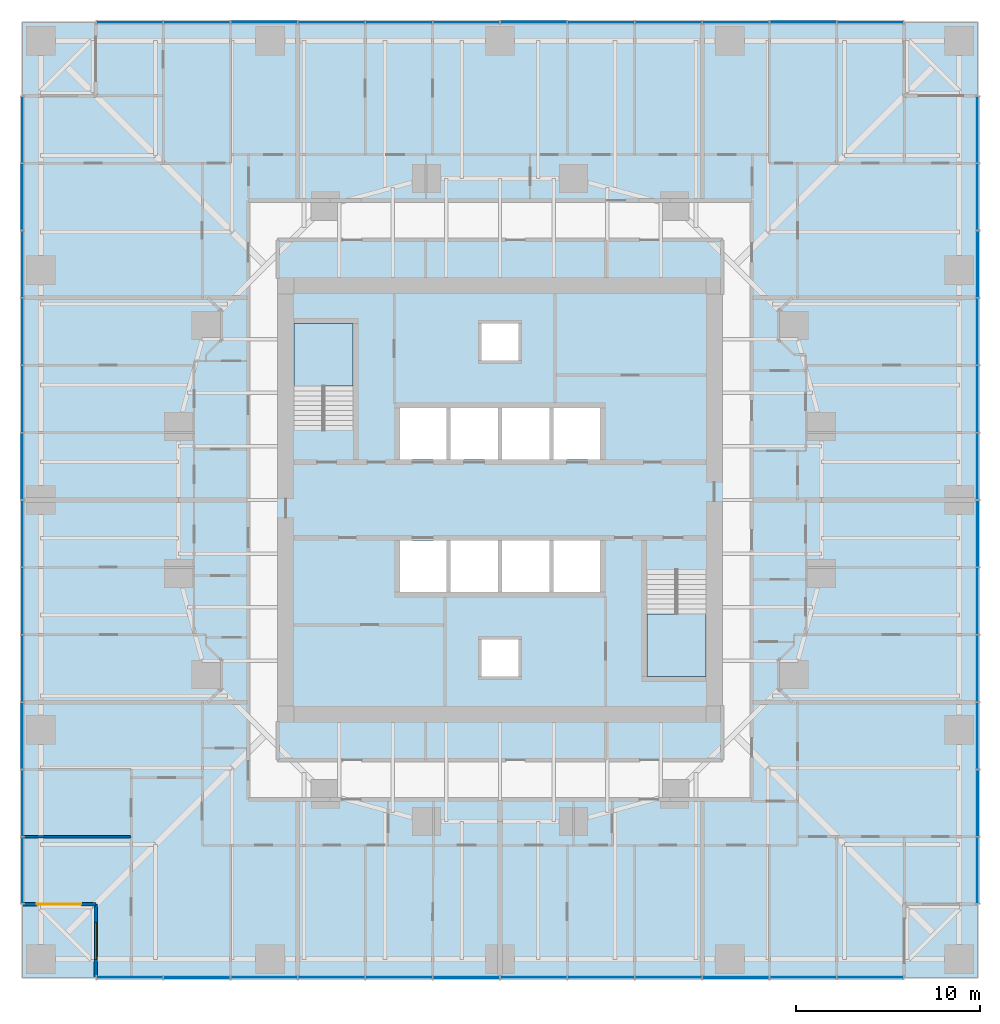
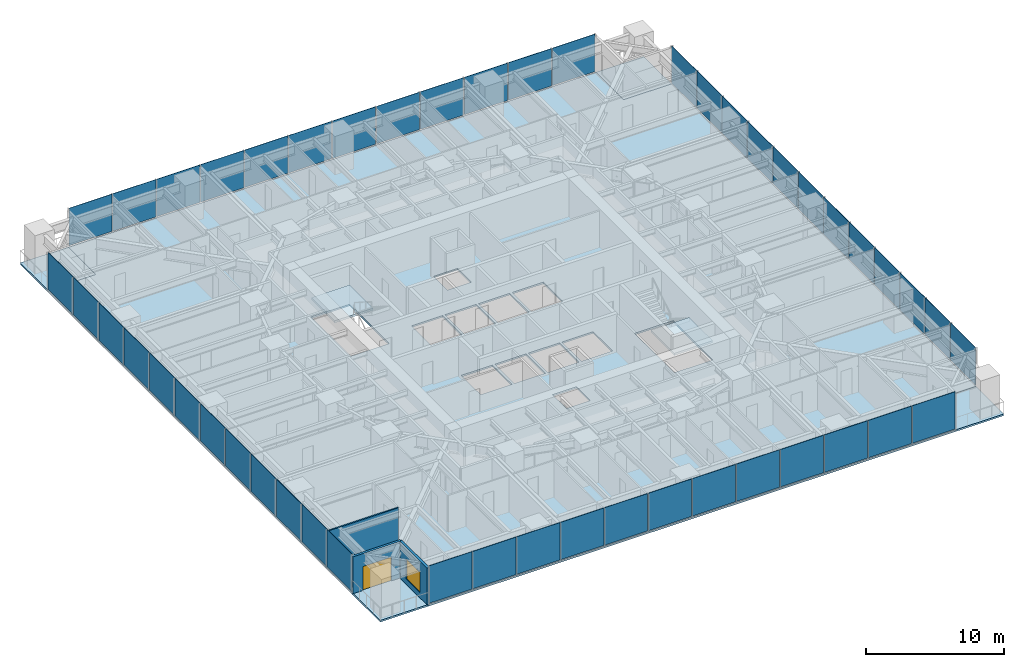
# One storey, part 7 of 18: 48 plates, 7 slabs, 3 walls, 1 door, 1 window, 2 openings, 6 elements without a shape of their own.
"""IFC4 building model written with IfcOpenShell, lengths in metres."""

import ifcopenshell
import ifcopenshell.guid

model = None  # the IFC model being written
_history = None  # IfcOwnerHistory: only IFC2X3 demands one
_inside = {}  # id of a spatial element -> (the spatial element, [elements in it])
_under = {}  # id of a project, library or spatial element -> (it, [spatial elements below it])
_declared = {}  # id of a project -> (the project, [libraries it declares])
_typed = {}  # id of a type object -> (the type object, [elements of that type])
_made_of = {}  # id of a material, layer set ... -> (it, [elements and type objects made of it])


def new_model(schema):
    """Start an empty IFC model of exactly this schema.

    Asked for "IFC4X3", IfcOpenShell would pick the latest addendum, in which some entities
    have other attributes; the version numbers below select the first issue.
    IFC2X3 requires an IfcOwnerHistory on every rooted entity: one is made here for all.
    """
    global model, _history
    if schema == "IFC4X3":
        model = ifcopenshell.file(schema_version=(4, 3, 0, 0))
    else:
        model = ifcopenshell.file(schema=schema)
    _inside.clear()
    _under.clear()
    _declared.clear()
    _typed.clear()
    _made_of.clear()
    _history = None
    if model.schema == "IFC2X3":
        org = make("IfcOrganization", Name="unknown")
        user = make(
            "IfcPersonAndOrganization",
            ThePerson=make("IfcPerson", FamilyName="unknown"),
            TheOrganization=org,
        )
        app = make(
            "IfcApplication",
            ApplicationDeveloper=org,
            Version="unknown",
            ApplicationFullName="unknown",
            ApplicationIdentifier="unknown",
        )
        _history = make(
            "IfcOwnerHistory",
            OwningUser=user,
            OwningApplication=app,
            ChangeAction="ADDED",
            CreationDate=0,
        )
    return model


def make(cls, **values):
    """One entity of the class cls with the attributes given. An attribute that is None is left unset."""
    return model.create_entity(
        cls, **{name: value for name, value in values.items() if value is not None}
    )


def rooted(cls, **values):
    """An entity with a GlobalId (a new one), such as an element, a storey or a relation."""
    return make(cls, GlobalId=ifcopenshell.guid.new(), OwnerHistory=_history, **values)


def si_unit(unit_type, name, prefix=None):
    """IfcSIUnit, for example si_unit("LENGTHUNIT", "METRE", prefix="MILLI")."""
    return make("IfcSIUnit", UnitType=unit_type, Prefix=prefix, Name=name)


def assignment(units):
    """IfcUnitAssignment: the units of a project."""
    return None if units is None else make("IfcUnitAssignment", Units=units)


def point(xyz):
    """IfcCartesianPoint."""
    return None if xyz is None else make("IfcCartesianPoint", Coordinates=xyz)


def direction(xyz):
    """IfcDirection."""
    return None if xyz is None else make("IfcDirection", DirectionRatios=xyz)


def frame(location, z_axis=None, x_axis=None):
    """IfcAxis2Placement3D, a coordinate frame: its origin and axes. An axis left out is left unset."""
    return make(
        "IfcAxis2Placement3D",
        Location=point(location),
        Axis=direction(z_axis),
        RefDirection=direction(x_axis),
    )


def frame_2d(location, x_axis=None):
    """IfcAxis2Placement2D, a coordinate frame in the plane: its origin and x axis."""
    return make(
        "IfcAxis2Placement2D", Location=point(location), RefDirection=direction(x_axis)
    )


def origin():
    """The frame at (0, 0, 0) with its axes left unset."""
    return frame((0.0, 0.0, 0.0))


def origin_2d():
    """The frame at (0, 0) in the plane with its x axis left unset."""
    return frame_2d((0.0, 0.0))


def place(relative_to, where):
    """IfcLocalPlacement: puts the frame where relative to a parent placement (None: the world)."""
    return make(
        "IfcLocalPlacement", PlacementRelTo=relative_to, RelativePlacement=where
    )


def context(
    kind, dimensions, precision=None, world=None, true_north=None, identifier=None
):
    """IfcGeometricRepresentationContext, for example the 3D "Model" context."""
    return make(
        "IfcGeometricRepresentationContext",
        ContextIdentifier=identifier,
        ContextType=kind,
        CoordinateSpaceDimension=dimensions,
        Precision=precision,
        WorldCoordinateSystem=world,
        TrueNorth=true_north,
    )


def subcontext(parent, identifier, kind, view, scale=None):
    """IfcGeometricRepresentationSubContext, for example "Body" below "Model"."""
    return make(
        "IfcGeometricRepresentationSubContext",
        ContextIdentifier=identifier,
        ContextType=kind,
        ParentContext=parent,
        TargetScale=scale,
        TargetView=view,
    )


def project(units=None, contexts=None):
    """IfcProject with its units and contexts."""
    return rooted(
        "IfcProject",
        Name="project",
        RepresentationContexts=contexts,
        UnitsInContext=assignment(units),
    )


def spatial(cls, under=None, at=None, **own):
    """A site, building, storey or space (cls), placed at a placement, below another one or the project."""
    s = rooted(cls, ObjectPlacement=at, **own)
    if under is not None:
        _under.setdefault(under.id(), (under, []))[1].append(s)
    return s


def polyline(points):
    """IfcPolyline through the points."""
    return make("IfcPolyline", Points=[point(p) for p in points])


def profile(cls, at=None, kind="AREA", **sizes):
    """A parametric profile (cls). Its sizes go by their IFC names, for example OverallWidth=200.0."""
    return make(cls, ProfileType=kind, Position=at, **sizes)


def rectangle(**sizes):
    """IfcRectangleProfileDef."""
    return profile("IfcRectangleProfileDef", **sizes)


def outline(outer, holes=None, kind="AREA"):
    """IfcArbitraryClosedProfileDef: a profile drawn as a closed curve; with holes, ...WithVoids."""
    if holes is None:
        return make("IfcArbitraryClosedProfileDef", ProfileType=kind, OuterCurve=outer)
    return make(
        "IfcArbitraryProfileDefWithVoids",
        ProfileType=kind,
        OuterCurve=outer,
        InnerCurves=holes,
    )


def extrude(swept, where, along, depth):
    """IfcExtrudedAreaSolid: the profile swept, set in the frame where, extruded along a direction by depth."""
    return make(
        "IfcExtrudedAreaSolid",
        SweptArea=swept,
        Position=where,
        ExtrudedDirection=direction(along),
        Depth=depth,
    )


def shape(context_of_items, identifier, shape_type, items):
    """IfcShapeRepresentation: the items that make up one representation, for example the "Body"."""
    return make(
        "IfcShapeRepresentation",
        ContextOfItems=context_of_items,
        RepresentationIdentifier=identifier,
        RepresentationType=shape_type,
        Items=items,
    )


def material(Name=None, Category=None):
    """IfcMaterial."""
    return make("IfcMaterial", Name=Name, Category=Category)


def layer(
    of_material, thickness, ventilated=None, Name=None, Category=None, Priority=None
):
    """IfcMaterialLayer: one layer of a wall or slab, of a material (None: an air gap)."""
    return make(
        "IfcMaterialLayer",
        Material=of_material,
        LayerThickness=thickness,
        IsVentilated=ventilated,
        Name=Name,
        Category=Category,
        Priority=Priority,
    )


def layer_set(layers, Name=None):
    """IfcMaterialLayerSet."""
    return make("IfcMaterialLayerSet", MaterialLayers=layers, LayerSetName=Name)


def made_of(thing, what):
    """Note that an element or type object is made of a material, layer set ...; save() writes the relation."""
    if what is not None:
        _made_of.setdefault(what.id(), (what, []))[1].append(thing)
    return thing


def type_object(cls, material=None, **own):
    """A type object (cls), such as IfcWallType, which elements share."""
    return made_of(rooted(cls, **own), material)


def element(
    cls,
    number,
    at=None,
    inside=None,
    cuts=None,
    type_object=None,
    material=None,
    context=None,
    identifier="Body",
    shape_type=None,
    held_by="IfcProductDefinitionShape",
    body=None,
    shapes=None,
    **own,
):
    """One element of the class cls, such as IfcWall. Its Tag is "e" and its number.

    at: its placement. inside: the storey or other place that contains it. cuts: it is an
    opening in that element (IfcRelVoidsElement). A single representation is given by context,
    identifier, shape_type and body (its items); several are given by shapes. held_by: the class
    of the entity that holds the representations. save() writes the other relations.
    """
    e = rooted(cls, Tag="e%d" % number, ObjectPlacement=at, **own)
    if body is not None:
        shapes = [shape(context, identifier, shape_type, body)]
    if shapes is not None:
        e.Representation = make(held_by, Representations=shapes)
    if inside is not None:
        _inside.setdefault(inside.id(), (inside, []))[1].append(e)
    if cuts is not None:
        rooted(
            "IfcRelVoidsElement", RelatingBuildingElement=cuts, RelatedOpeningElement=e
        )
    if type_object is not None:
        _typed.setdefault(type_object.id(), (type_object, []))[1].append(e)
    return made_of(e, material)


def fill(opening, filler):
    """IfcRelFillsElement: the door or window that sits in an opening."""
    return rooted(
        "IfcRelFillsElement",
        RelatingOpeningElement=opening,
        RelatedBuildingElement=filler,
    )


def aggregate(whole, parts):
    """IfcRelAggregates: a whole, such as a stair, and the parts it consists of."""
    return rooted("IfcRelAggregates", RelatingObject=whole, RelatedObjects=parts)


def save(model, path):
    """Write the relations noted so far, then the file.

    IfcRelAggregates (storeys below a building ...), IfcRelContainedInSpatialStructure (elements
    in a storey), IfcRelDefinesByType, IfcRelAssociatesMaterial and IfcRelDeclares: one each for
    every whole, place, type object, material and project.
    """
    for whole, parts in _under.values():
        aggregate(whole, parts)
    for where, things in _inside.values():
        rooted(
            "IfcRelContainedInSpatialStructure",
            RelatedElements=things,
            RelatingStructure=where,
        )
    for kind, things in _typed.values():
        rooted("IfcRelDefinesByType", RelatedObjects=things, RelatingType=kind)
    for what, things in _made_of.values():
        rooted("IfcRelAssociatesMaterial", RelatedObjects=things, RelatingMaterial=what)
    for by, libraries in _declared.values():
        rooted("IfcRelDeclares", RelatingContext=by, RelatedDefinitions=libraries)
    model.write(path)


model = new_model("IFC4")

# Units and contexts
model_context = context("Model", 3, precision=1e-05, world=origin(), true_north=direction((0.0, 1.0)))
body_context = subcontext(model_context, "Body", "Model", "MODEL_VIEW")
ifc_project = project(units=[si_unit("LENGTHUNIT", "METRE"), si_unit("AREAUNIT", "SQUARE_METRE"), si_unit("VOLUMEUNIT", "CUBIC_METRE"), si_unit("PLANEANGLEUNIT", "RADIAN"), si_unit("MASSUNIT", "GRAM", prefix="KILO")], contexts=[model_context])

# Site, building, storey
site_placement = place(None, origin())
site = spatial("IfcSite", under=ifc_project, at=site_placement, CompositionType="ELEMENT")
building_placement = place(site_placement, origin())
building = spatial("IfcBuilding", under=site, at=building_placement, Name="Torsade Residences", CompositionType="ELEMENT")
storey_placement = place(building_placement, frame((0.0, 0.0, 28.60009765625)))
storey = spatial("IfcBuildingStorey", under=building, at=storey_placement, Name="L07", CompositionType="ELEMENT", Elevation=28.60009765625)

# Slab
ifc_material_1 = material(Name="Concrete 40 MPa", Category="concrete")
ifc_layer_1 = layer(ifc_material_1, 0.14990234375)
ifc_layer_set_1 = layer_set([ifc_layer_1], Name="Concrete 40 MPa")
slab_type_1 = type_object("IfcSlabType", Name="COMPOSITE FLOOR SLAB 150", PredefinedType="FLOOR", material=ifc_layer_set_1)
slab_1_placement = place(storey_placement, frame((0.0, 0.0, -0.150146484375)))
element("IfcSlab", 1, at=slab_1_placement, inside=storey, type_object=slab_type_1, Name="Floor slab L07", PredefinedType="FLOOR", context=body_context, shape_type="SweptSolid", body=[
    extrude(outline(polyline([(18.0, 4.0), (62.0, 4.0), (62.0, 8.0), (66.0, 8.0), (66.0, 52.0), (62.0, 52.0), (62.0, 56.0), (18.0, 56.0), (18.0, 52.0), (14.0, 52.0), (14.0, 8.0), (18.0, 8.0), (18.0, 4.0)]), holes=[polyline([(51.199951171875, 20.39990234375), (51.199951171875, 26.1201171875), (48.0, 26.1201171875), (48.0, 20.39990234375), (51.199951171875, 20.39990234375)]), polyline([(45.5, 27.800048828125), (42.89990234375, 27.800048828125), (42.89990234375, 25.0), (45.5, 25.0), (45.5, 27.800048828125)]), polyline([(45.5, 32.199951171875), (45.5, 35.0), (42.89990234375, 35.0), (42.89990234375, 32.199951171875), (45.5, 32.199951171875)]), polyline([(42.699951171875, 25.0), (42.699951171875, 27.800048828125), (40.10009765625, 27.800048828125), (40.10009765625, 25.0), (42.699951171875, 25.0)]), polyline([(42.699951171875, 32.199951171875), (42.699951171875, 35.0), (40.10009765625, 35.0), (40.10009765625, 32.199951171875), (42.699951171875, 32.199951171875)]), polyline([(41.0, 22.39990234375), (39.0, 22.39990234375), (39.0, 20.39990234375), (41.0, 20.39990234375), (41.0, 22.39990234375)]), polyline([(41.0, 37.60009765625), (41.0, 39.60009765625), (39.0, 39.60009765625), (39.0, 37.60009765625), (41.0, 37.60009765625)]), polyline([(39.89990234375, 25.0), (39.89990234375, 27.800048828125), (37.300048828125, 27.800048828125), (37.300048828125, 25.0), (39.89990234375, 25.0)]), polyline([(39.89990234375, 35.0), (37.300048828125, 35.0), (37.300048828125, 32.199951171875), (39.89990234375, 32.199951171875), (39.89990234375, 35.0)]), polyline([(37.10009765625, 27.800048828125), (34.5, 27.800048828125), (34.5, 25.0), (37.10009765625, 25.0), (37.10009765625, 27.800048828125)]), polyline([(37.10009765625, 32.199951171875), (37.10009765625, 35.0), (34.5, 35.0), (34.5, 32.199951171875), (37.10009765625, 32.199951171875)]), polyline([(32.0, 33.8798828125), (32.0, 39.60009765625), (28.800048828125, 39.60009765625), (28.800048828125, 33.8798828125), (32.0, 33.8798828125)])]), origin(), (0.0, 0.0, 1.0), 0.150146484375),
])

# Curtain wall, plates
ifc_material_2 = material(Name="Aluminium and glass", Category="aluminium")
curtain_wall_type = type_object("IfcCurtainWallType", Name="FRITTED GLASS CURTAIN WALL LOW ZONE", PredefinedType="NOTDEFINED", material=ifc_material_2)
curtain_wall_1_placement = place(storey_placement, origin())
curtain_wall_1 = element("IfcCurtainWall", 2, at=curtain_wall_1_placement, inside=storey, type_object=curtain_wall_type, Name="Curtain wall L07 face 1", PredefinedType="NOTDEFINED")
ifc_material_3 = material(Name="Laminated glass", Category="glass")
ifc_layer_2 = layer(ifc_material_3, 0.031982421875)
ifc_layer_set_2 = layer_set([ifc_layer_2], Name="Laminated glass")
plate_type_1 = type_object("IfcPlateType", Name="FRITTED GLASS PANEL", PredefinedType="CURTAIN_PANEL", material=ifc_layer_set_2)
plate_1_placement = place(storey_placement, frame((19.849609375, 4.0, 0.10009765625), z_axis=(0.0, 0.0, 1.0), x_axis=(1.0, 0.0, 0.0)))
plate_1 = element("IfcPlate", 3, at=plate_1_placement, type_object=plate_type_1, Name="Panel 1", PredefinedType="CURTAIN_PANEL", context=body_context, shape_type="SweptSolid", body=[
    extrude(rectangle(XDim=3.569091796875, YDim=0.031982421875, at=origin_2d()), origin(), (0.0, 0.0, 1.0), 3.300048828125),
])
plate_2_placement = place(storey_placement, frame((27.166748046875, 4.0, 0.10009765625), z_axis=(0.0, 0.0, 1.0), x_axis=(1.0, 0.0, 0.0)))
plate_2 = element("IfcPlate", 4, at=plate_2_placement, type_object=plate_type_1, Name="Panel 3", PredefinedType="CURTAIN_PANEL", context=body_context, shape_type="SweptSolid", body=[
    extrude(rectangle(XDim=3.6015625, YDim=0.031982421875, at=origin_2d()), origin(), (0.0, 0.0, 1.0), 3.300048828125),
])
plate_3_placement = place(storey_placement, frame((30.833251953125, 4.0, 0.10009765625), z_axis=(0.0, 0.0, 1.0), x_axis=(1.0, 0.0, 0.0)))
plate_3 = element("IfcPlate", 5, at=plate_3_placement, type_object=plate_type_1, Name="Panel 4", PredefinedType="CURTAIN_PANEL", context=body_context, shape_type="SweptSolid", body=[
    extrude(rectangle(XDim=3.6015625, YDim=0.031982421875, at=origin_2d()), origin(), (0.0, 0.0, 1.0), 3.300048828125),
])
plate_4_placement = place(storey_placement, frame((34.5, 4.0, 0.10009765625), z_axis=(0.0, 0.0, 1.0), x_axis=(1.0, 0.0, 0.0)))
plate_4 = element("IfcPlate", 6, at=plate_4_placement, type_object=plate_type_1, Name="Panel 5", PredefinedType="CURTAIN_PANEL", context=body_context, shape_type="SweptSolid", body=[
    extrude(rectangle(XDim=3.6015625, YDim=0.031982421875, at=origin_2d()), origin(), (0.0, 0.0, 1.0), 3.300048828125),
])
plate_5_placement = place(storey_placement, frame((41.833251953125, 4.0, 0.10009765625), z_axis=(0.0, 0.0, 1.0), x_axis=(1.0, 0.0, 0.0)))
plate_5 = element("IfcPlate", 7, at=plate_5_placement, type_object=plate_type_1, Name="Panel 7", PredefinedType="CURTAIN_PANEL", context=body_context, shape_type="SweptSolid", body=[
    extrude(rectangle(XDim=3.6015625, YDim=0.031982421875, at=origin_2d()), origin(), (0.0, 0.0, 1.0), 3.300048828125),
])
plate_6_placement = place(storey_placement, frame((45.5, 4.0, 0.10009765625), z_axis=(0.0, 0.0, 1.0), x_axis=(1.0, 0.0, 0.0)))
plate_6 = element("IfcPlate", 8, at=plate_6_placement, type_object=plate_type_1, Name="Panel 8", PredefinedType="CURTAIN_PANEL", context=body_context, shape_type="SweptSolid", body=[
    extrude(rectangle(XDim=3.6015625, YDim=0.031982421875, at=origin_2d()), origin(), (0.0, 0.0, 1.0), 3.300048828125),
])
plate_7_placement = place(storey_placement, frame((49.166748046875, 4.0, 0.10009765625), z_axis=(0.0, 0.0, 1.0), x_axis=(1.0, 0.0, 0.0)))
plate_7 = element("IfcPlate", 9, at=plate_7_placement, type_object=plate_type_1, Name="Panel 9", PredefinedType="CURTAIN_PANEL", context=body_context, shape_type="SweptSolid", body=[
    extrude(rectangle(XDim=3.6015625, YDim=0.031982421875, at=origin_2d()), origin(), (0.0, 0.0, 1.0), 3.300048828125),
])
plate_8_placement = place(storey_placement, frame((56.5, 4.0, 0.10009765625), z_axis=(0.0, 0.0, 1.0), x_axis=(1.0, 0.0, 0.0)))
plate_8 = element("IfcPlate", 10, at=plate_8_placement, type_object=plate_type_1, Name="Panel 11", PredefinedType="CURTAIN_PANEL", context=body_context, shape_type="SweptSolid", body=[
    extrude(rectangle(XDim=3.6015625, YDim=0.031982421875, at=origin_2d()), origin(), (0.0, 0.0, 1.0), 3.300048828125),
])
plate_9_placement = place(storey_placement, frame((60.150390625, 4.0, 0.10009765625), z_axis=(0.0, 0.0, 1.0), x_axis=(1.0, 0.0, 0.0)))
plate_9 = element("IfcPlate", 11, at=plate_9_placement, type_object=plate_type_1, Name="Panel 12", PredefinedType="CURTAIN_PANEL", context=body_context, shape_type="SweptSolid", body=[
    extrude(rectangle(XDim=3.569091796875, YDim=0.031982421875, at=origin_2d()), origin(), (0.0, 0.0, 1.0), 3.300048828125),
])

curtain_wall_2_placement = place(storey_placement, origin())
curtain_wall_2 = element("IfcCurtainWall", 12, at=curtain_wall_2_placement, inside=storey, type_object=curtain_wall_type, Name="Curtain wall L07 face 4", PredefinedType="NOTDEFINED")
plate_10_placement = place(storey_placement, frame((66.0, 9.849609375, 0.10009765625), z_axis=(0.0, 0.0, 1.0), x_axis=(0.0, 1.0, 0.0)))
plate_10 = element("IfcPlate", 13, at=plate_10_placement, type_object=plate_type_1, Name="Panel 1", PredefinedType="CURTAIN_PANEL", context=body_context, shape_type="SweptSolid", body=[
    extrude(rectangle(XDim=3.569091796875, YDim=0.031982421875, at=origin_2d()), origin(), (0.0, 0.0, 1.0), 3.300048828125),
])
plate_11_placement = place(storey_placement, frame((66.0, 17.166748046875, 0.10009765625), z_axis=(0.0, 0.0, 1.0), x_axis=(0.0, 1.0, 0.0)))
plate_11 = element("IfcPlate", 14, at=plate_11_placement, type_object=plate_type_1, Name="Panel 3", PredefinedType="CURTAIN_PANEL", context=body_context, shape_type="SweptSolid", body=[
    extrude(rectangle(XDim=3.6015625, YDim=0.031982421875, at=origin_2d()), origin(), (0.0, 0.0, 1.0), 3.300048828125),
])
plate_12_placement = place(storey_placement, frame((66.0, 20.833251953125, 0.10009765625), z_axis=(0.0, 0.0, 1.0), x_axis=(0.0, 1.0, 0.0)))
plate_12 = element("IfcPlate", 15, at=plate_12_placement, type_object=plate_type_1, Name="Panel 4", PredefinedType="CURTAIN_PANEL", context=body_context, shape_type="SweptSolid", body=[
    extrude(rectangle(XDim=3.6015625, YDim=0.031982421875, at=origin_2d()), origin(), (0.0, 0.0, 1.0), 3.300048828125),
])
plate_13_placement = place(storey_placement, frame((66.0, 24.5, 0.10009765625), z_axis=(0.0, 0.0, 1.0), x_axis=(0.0, 1.0, 0.0)))
plate_13 = element("IfcPlate", 16, at=plate_13_placement, type_object=plate_type_1, Name="Panel 5", PredefinedType="CURTAIN_PANEL", context=body_context, shape_type="SweptSolid", body=[
    extrude(rectangle(XDim=3.6015625, YDim=0.031982421875, at=origin_2d()), origin(), (0.0, 0.0, 1.0), 3.300048828125),
])
plate_14_placement = place(storey_placement, frame((66.0, 31.833251953125, 0.10009765625), z_axis=(0.0, 0.0, 1.0), x_axis=(0.0, 1.0, 0.0)))
plate_14 = element("IfcPlate", 17, at=plate_14_placement, type_object=plate_type_1, Name="Panel 7", PredefinedType="CURTAIN_PANEL", context=body_context, shape_type="SweptSolid", body=[
    extrude(rectangle(XDim=3.6015625, YDim=0.031982421875, at=origin_2d()), origin(), (0.0, 0.0, 1.0), 3.300048828125),
])
plate_15_placement = place(storey_placement, frame((66.0, 35.5, 0.10009765625), z_axis=(0.0, 0.0, 1.0), x_axis=(0.0, 1.0, 0.0)))
plate_15 = element("IfcPlate", 18, at=plate_15_placement, type_object=plate_type_1, Name="Panel 8", PredefinedType="CURTAIN_PANEL", context=body_context, shape_type="SweptSolid", body=[
    extrude(rectangle(XDim=3.6015625, YDim=0.031982421875, at=origin_2d()), origin(), (0.0, 0.0, 1.0), 3.300048828125),
])
plate_16_placement = place(storey_placement, frame((66.0, 39.166748046875, 0.10009765625), z_axis=(0.0, 0.0, 1.0), x_axis=(0.0, 1.0, 0.0)))
plate_16 = element("IfcPlate", 19, at=plate_16_placement, type_object=plate_type_1, Name="Panel 9", PredefinedType="CURTAIN_PANEL", context=body_context, shape_type="SweptSolid", body=[
    extrude(rectangle(XDim=3.6015625, YDim=0.031982421875, at=origin_2d()), origin(), (0.0, 0.0, 1.0), 3.300048828125),
])
plate_17_placement = place(storey_placement, frame((66.0, 46.5, 0.10009765625), z_axis=(0.0, 0.0, 1.0), x_axis=(0.0, 1.0, 0.0)))
plate_17 = element("IfcPlate", 20, at=plate_17_placement, type_object=plate_type_1, Name="Panel 11", PredefinedType="CURTAIN_PANEL", context=body_context, shape_type="SweptSolid", body=[
    extrude(rectangle(XDim=3.6015625, YDim=0.031982421875, at=origin_2d()), origin(), (0.0, 0.0, 1.0), 3.300048828125),
])
plate_18_placement = place(storey_placement, frame((66.0, 50.150390625, 0.10009765625), z_axis=(0.0, 0.0, 1.0), x_axis=(0.0, 1.0, 0.0)))
plate_18 = element("IfcPlate", 21, at=plate_18_placement, type_object=plate_type_1, Name="Panel 12", PredefinedType="CURTAIN_PANEL", context=body_context, shape_type="SweptSolid", body=[
    extrude(rectangle(XDim=3.569091796875, YDim=0.031982421875, at=origin_2d()), origin(), (0.0, 0.0, 1.0), 3.300048828125),
])

curtain_wall_3_placement = place(storey_placement, origin())
curtain_wall_3 = element("IfcCurtainWall", 22, at=curtain_wall_3_placement, inside=storey, type_object=curtain_wall_type, Name="Curtain wall L07 face 7", PredefinedType="NOTDEFINED")
plate_19_placement = place(storey_placement, frame((60.150390625, 56.0, 0.10009765625), z_axis=(0.0, 0.0, 1.0), x_axis=(-1.0, 0.0, 0.0)))
plate_19 = element("IfcPlate", 23, at=plate_19_placement, type_object=plate_type_1, Name="Panel 1", PredefinedType="CURTAIN_PANEL", context=body_context, shape_type="SweptSolid", body=[
    extrude(rectangle(XDim=3.569091796875, YDim=0.031982421875, at=origin_2d()), origin(), (0.0, 0.0, 1.0), 3.300048828125),
])
plate_20_placement = place(storey_placement, frame((52.833251953125, 56.0, 0.10009765625), z_axis=(0.0, 0.0, 1.0), x_axis=(-1.0, 0.0, 0.0)))
plate_20 = element("IfcPlate", 24, at=plate_20_placement, type_object=plate_type_1, Name="Panel 3", PredefinedType="CURTAIN_PANEL", context=body_context, shape_type="SweptSolid", body=[
    extrude(rectangle(XDim=3.6015625, YDim=0.031982421875, at=origin_2d()), origin(), (0.0, 0.0, 1.0), 3.300048828125),
])
plate_21_placement = place(storey_placement, frame((49.166748046875, 56.0, 0.10009765625), z_axis=(0.0, 0.0, 1.0), x_axis=(-1.0, 0.0, 0.0)))
plate_21 = element("IfcPlate", 25, at=plate_21_placement, type_object=plate_type_1, Name="Panel 4", PredefinedType="CURTAIN_PANEL", context=body_context, shape_type="SweptSolid", body=[
    extrude(rectangle(XDim=3.6015625, YDim=0.031982421875, at=origin_2d()), origin(), (0.0, 0.0, 1.0), 3.300048828125),
])
plate_22_placement = place(storey_placement, frame((45.5, 56.0, 0.10009765625), z_axis=(0.0, 0.0, 1.0), x_axis=(-1.0, 0.0, 0.0)))
plate_22 = element("IfcPlate", 26, at=plate_22_placement, type_object=plate_type_1, Name="Panel 5", PredefinedType="CURTAIN_PANEL", context=body_context, shape_type="SweptSolid", body=[
    extrude(rectangle(XDim=3.6015625, YDim=0.031982421875, at=origin_2d()), origin(), (0.0, 0.0, 1.0), 3.300048828125),
])
plate_23_placement = place(storey_placement, frame((38.166748046875, 56.0, 0.10009765625), z_axis=(0.0, 0.0, 1.0), x_axis=(-1.0, 0.0, 0.0)))
plate_23 = element("IfcPlate", 27, at=plate_23_placement, type_object=plate_type_1, Name="Panel 7", PredefinedType="CURTAIN_PANEL", context=body_context, shape_type="SweptSolid", body=[
    extrude(rectangle(XDim=3.6015625, YDim=0.031982421875, at=origin_2d()), origin(), (0.0, 0.0, 1.0), 3.300048828125),
])
plate_24_placement = place(storey_placement, frame((34.5, 56.0, 0.10009765625), z_axis=(0.0, 0.0, 1.0), x_axis=(-1.0, 0.0, 0.0)))
plate_24 = element("IfcPlate", 28, at=plate_24_placement, type_object=plate_type_1, Name="Panel 8", PredefinedType="CURTAIN_PANEL", context=body_context, shape_type="SweptSolid", body=[
    extrude(rectangle(XDim=3.6015625, YDim=0.031982421875, at=origin_2d()), origin(), (0.0, 0.0, 1.0), 3.300048828125),
])
plate_25_placement = place(storey_placement, frame((30.833251953125, 56.0, 0.10009765625), z_axis=(0.0, 0.0, 1.0), x_axis=(-1.0, 0.0, 0.0)))
plate_25 = element("IfcPlate", 29, at=plate_25_placement, type_object=plate_type_1, Name="Panel 9", PredefinedType="CURTAIN_PANEL", context=body_context, shape_type="SweptSolid", body=[
    extrude(rectangle(XDim=3.6015625, YDim=0.031982421875, at=origin_2d()), origin(), (0.0, 0.0, 1.0), 3.300048828125),
])
plate_26_placement = place(storey_placement, frame((23.5, 56.0, 0.10009765625), z_axis=(0.0, 0.0, 1.0), x_axis=(-1.0, 0.0, 0.0)))
plate_26 = element("IfcPlate", 30, at=plate_26_placement, type_object=plate_type_1, Name="Panel 11", PredefinedType="CURTAIN_PANEL", context=body_context, shape_type="SweptSolid", body=[
    extrude(rectangle(XDim=3.6015625, YDim=0.031982421875, at=origin_2d()), origin(), (0.0, 0.0, 1.0), 3.300048828125),
])
plate_27_placement = place(storey_placement, frame((19.849609375, 56.0, 0.10009765625), z_axis=(0.0, 0.0, 1.0), x_axis=(-1.0, 0.0, 0.0)))
plate_27 = element("IfcPlate", 31, at=plate_27_placement, type_object=plate_type_1, Name="Panel 12", PredefinedType="CURTAIN_PANEL", context=body_context, shape_type="SweptSolid", body=[
    extrude(rectangle(XDim=3.569091796875, YDim=0.031982421875, at=origin_2d()), origin(), (0.0, 0.0, 1.0), 3.300048828125),
])

curtain_wall_4_placement = place(storey_placement, origin())
curtain_wall_4 = element("IfcCurtainWall", 32, at=curtain_wall_4_placement, inside=storey, type_object=curtain_wall_type, Name="Curtain wall L07 face 10", PredefinedType="NOTDEFINED")
plate_28_placement = place(storey_placement, frame((14.0, 50.150390625, 0.10009765625), z_axis=(0.0, 0.0, 1.0), x_axis=(0.0, -1.0, 0.0)))
plate_28 = element("IfcPlate", 33, at=plate_28_placement, type_object=plate_type_1, Name="Panel 1", PredefinedType="CURTAIN_PANEL", context=body_context, shape_type="SweptSolid", body=[
    extrude(rectangle(XDim=3.569091796875, YDim=0.031982421875, at=origin_2d()), origin(), (0.0, 0.0, 1.0), 3.300048828125),
])
plate_29_placement = place(storey_placement, frame((14.0, 42.833251953125, 0.10009765625), z_axis=(0.0, 0.0, 1.0), x_axis=(0.0, -1.0, 0.0)))
plate_29 = element("IfcPlate", 34, at=plate_29_placement, type_object=plate_type_1, Name="Panel 3", PredefinedType="CURTAIN_PANEL", context=body_context, shape_type="SweptSolid", body=[
    extrude(rectangle(XDim=3.6015625, YDim=0.031982421875, at=origin_2d()), origin(), (0.0, 0.0, 1.0), 3.300048828125),
])
plate_30_placement = place(storey_placement, frame((14.0, 39.166748046875, 0.10009765625), z_axis=(0.0, 0.0, 1.0), x_axis=(0.0, -1.0, 0.0)))
plate_30 = element("IfcPlate", 35, at=plate_30_placement, type_object=plate_type_1, Name="Panel 4", PredefinedType="CURTAIN_PANEL", context=body_context, shape_type="SweptSolid", body=[
    extrude(rectangle(XDim=3.6015625, YDim=0.031982421875, at=origin_2d()), origin(), (0.0, 0.0, 1.0), 3.300048828125),
])
plate_31_placement = place(storey_placement, frame((14.0, 35.5, 0.10009765625), z_axis=(0.0, 0.0, 1.0), x_axis=(0.0, -1.0, 0.0)))
plate_31 = element("IfcPlate", 36, at=plate_31_placement, type_object=plate_type_1, Name="Panel 5", PredefinedType="CURTAIN_PANEL", context=body_context, shape_type="SweptSolid", body=[
    extrude(rectangle(XDim=3.6015625, YDim=0.031982421875, at=origin_2d()), origin(), (0.0, 0.0, 1.0), 3.300048828125),
])
plate_32_placement = place(storey_placement, frame((14.0, 28.166748046875, 0.10009765625), z_axis=(0.0, 0.0, 1.0), x_axis=(0.0, -1.0, 0.0)))
plate_32 = element("IfcPlate", 37, at=plate_32_placement, type_object=plate_type_1, Name="Panel 7", PredefinedType="CURTAIN_PANEL", context=body_context, shape_type="SweptSolid", body=[
    extrude(rectangle(XDim=3.6015625, YDim=0.031982421875, at=origin_2d()), origin(), (0.0, 0.0, 1.0), 3.300048828125),
])
plate_33_placement = place(storey_placement, frame((14.0, 24.5, 0.10009765625), z_axis=(0.0, 0.0, 1.0), x_axis=(0.0, -1.0, 0.0)))
plate_33 = element("IfcPlate", 38, at=plate_33_placement, type_object=plate_type_1, Name="Panel 8", PredefinedType="CURTAIN_PANEL", context=body_context, shape_type="SweptSolid", body=[
    extrude(rectangle(XDim=3.6015625, YDim=0.031982421875, at=origin_2d()), origin(), (0.0, 0.0, 1.0), 3.300048828125),
])
plate_34_placement = place(storey_placement, frame((14.0, 20.833251953125, 0.10009765625), z_axis=(0.0, 0.0, 1.0), x_axis=(0.0, -1.0, 0.0)))
plate_34 = element("IfcPlate", 39, at=plate_34_placement, type_object=plate_type_1, Name="Panel 9", PredefinedType="CURTAIN_PANEL", context=body_context, shape_type="SweptSolid", body=[
    extrude(rectangle(XDim=3.6015625, YDim=0.031982421875, at=origin_2d()), origin(), (0.0, 0.0, 1.0), 3.300048828125),
])
plate_35_placement = place(storey_placement, frame((14.0, 13.5, 0.10009765625), z_axis=(0.0, 0.0, 1.0), x_axis=(0.0, -1.0, 0.0)))
plate_35 = element("IfcPlate", 40, at=plate_35_placement, type_object=plate_type_1, Name="Panel 11", PredefinedType="CURTAIN_PANEL", context=body_context, shape_type="SweptSolid", body=[
    extrude(rectangle(XDim=3.6015625, YDim=0.031982421875, at=origin_2d()), origin(), (0.0, 0.0, 1.0), 3.300048828125),
])
plate_36_placement = place(storey_placement, frame((14.0, 9.849609375, 0.10009765625), z_axis=(0.0, 0.0, 1.0), x_axis=(0.0, -1.0, 0.0)))
plate_36 = element("IfcPlate", 41, at=plate_36_placement, type_object=plate_type_1, Name="Panel 12", PredefinedType="CURTAIN_PANEL", context=body_context, shape_type="SweptSolid", body=[
    extrude(rectangle(XDim=3.569091796875, YDim=0.031982421875, at=origin_2d()), origin(), (0.0, 0.0, 1.0), 3.300048828125),
])

# Plate
ifc_material_4 = material(Name="Laminated glass", Category="glass")
ifc_layer_3 = layer(ifc_material_4, 0.0400390625)
ifc_layer_set_3 = layer_set([ifc_layer_3], Name="Laminated glass")
plate_type_2 = type_object("IfcPlateType", Name="OPERABLE VENT PANEL", PredefinedType="CURTAIN_PANEL", material=ifc_layer_set_3)
plate_37_placement = place(storey_placement, frame((23.5, 4.0, 0.10009765625), z_axis=(0.0, 0.0, 1.0), x_axis=(1.0, 0.0, 0.0)))
plate_37 = element("IfcPlate", 42, at=plate_37_placement, type_object=plate_type_2, Name="Panel 2", PredefinedType="CURTAIN_PANEL", context=body_context, shape_type="SweptSolid", body=[
    extrude(rectangle(XDim=3.6015625, YDim=0.0400390625, at=origin_2d()), origin(), (0.0, 0.0, 1.0), 3.300048828125),
])

plate_38_placement = place(storey_placement, frame((38.166748046875, 4.0, 0.10009765625), z_axis=(0.0, 0.0, 1.0), x_axis=(1.0, 0.0, 0.0)))
plate_38 = element("IfcPlate", 43, at=plate_38_placement, type_object=plate_type_2, Name="Panel 6", PredefinedType="CURTAIN_PANEL", context=body_context, shape_type="SweptSolid", body=[
    extrude(rectangle(XDim=3.6015625, YDim=0.0400390625, at=origin_2d()), origin(), (0.0, 0.0, 1.0), 3.300048828125),
])

plate_39_placement = place(storey_placement, frame((52.833251953125, 4.0, 0.10009765625), z_axis=(0.0, 0.0, 1.0), x_axis=(1.0, 0.0, 0.0)))
plate_39 = element("IfcPlate", 44, at=plate_39_placement, type_object=plate_type_2, Name="Panel 10", PredefinedType="CURTAIN_PANEL", context=body_context, shape_type="SweptSolid", body=[
    extrude(rectangle(XDim=3.6015625, YDim=0.0400390625, at=origin_2d()), origin(), (0.0, 0.0, 1.0), 3.300048828125),
])

aggregate(curtain_wall_1, [plate_1, plate_37, plate_2, plate_3, plate_4, plate_38, plate_5, plate_6, plate_7, plate_39, plate_8, plate_9])

plate_40_placement = place(storey_placement, frame((66.0, 13.5, 0.10009765625), z_axis=(0.0, 0.0, 1.0), x_axis=(0.0, 1.0, 0.0)))
plate_40 = element("IfcPlate", 45, at=plate_40_placement, type_object=plate_type_2, Name="Panel 2", PredefinedType="CURTAIN_PANEL", context=body_context, shape_type="SweptSolid", body=[
    extrude(rectangle(XDim=3.6015625, YDim=0.0400390625, at=origin_2d()), origin(), (0.0, 0.0, 1.0), 3.300048828125),
])

plate_41_placement = place(storey_placement, frame((66.0, 28.166748046875, 0.10009765625), z_axis=(0.0, 0.0, 1.0), x_axis=(0.0, 1.0, 0.0)))
plate_41 = element("IfcPlate", 46, at=plate_41_placement, type_object=plate_type_2, Name="Panel 6", PredefinedType="CURTAIN_PANEL", context=body_context, shape_type="SweptSolid", body=[
    extrude(rectangle(XDim=3.6015625, YDim=0.0400390625, at=origin_2d()), origin(), (0.0, 0.0, 1.0), 3.300048828125),
])

plate_42_placement = place(storey_placement, frame((66.0, 42.833251953125, 0.10009765625), z_axis=(0.0, 0.0, 1.0), x_axis=(0.0, 1.0, 0.0)))
plate_42 = element("IfcPlate", 47, at=plate_42_placement, type_object=plate_type_2, Name="Panel 10", PredefinedType="CURTAIN_PANEL", context=body_context, shape_type="SweptSolid", body=[
    extrude(rectangle(XDim=3.6015625, YDim=0.0400390625, at=origin_2d()), origin(), (0.0, 0.0, 1.0), 3.300048828125),
])

aggregate(curtain_wall_2, [plate_10, plate_40, plate_11, plate_12, plate_13, plate_41, plate_14, plate_15, plate_16, plate_42, plate_17, plate_18])

plate_43_placement = place(storey_placement, frame((56.5, 56.0, 0.10009765625), z_axis=(0.0, 0.0, 1.0), x_axis=(-1.0, 0.0, 0.0)))
plate_43 = element("IfcPlate", 48, at=plate_43_placement, type_object=plate_type_2, Name="Panel 2", PredefinedType="CURTAIN_PANEL", context=body_context, shape_type="SweptSolid", body=[
    extrude(rectangle(XDim=3.6015625, YDim=0.0400390625, at=origin_2d()), origin(), (0.0, 0.0, 1.0), 3.300048828125),
])

plate_44_placement = place(storey_placement, frame((41.833251953125, 56.0, 0.10009765625), z_axis=(0.0, 0.0, 1.0), x_axis=(-1.0, 0.0, 0.0)))
plate_44 = element("IfcPlate", 49, at=plate_44_placement, type_object=plate_type_2, Name="Panel 6", PredefinedType="CURTAIN_PANEL", context=body_context, shape_type="SweptSolid", body=[
    extrude(rectangle(XDim=3.6015625, YDim=0.0400390625, at=origin_2d()), origin(), (0.0, 0.0, 1.0), 3.300048828125),
])

plate_45_placement = place(storey_placement, frame((27.166748046875, 56.0, 0.10009765625), z_axis=(0.0, 0.0, 1.0), x_axis=(-1.0, 0.0, 0.0)))
plate_45 = element("IfcPlate", 50, at=plate_45_placement, type_object=plate_type_2, Name="Panel 10", PredefinedType="CURTAIN_PANEL", context=body_context, shape_type="SweptSolid", body=[
    extrude(rectangle(XDim=3.6015625, YDim=0.0400390625, at=origin_2d()), origin(), (0.0, 0.0, 1.0), 3.300048828125),
])

aggregate(curtain_wall_3, [plate_19, plate_43, plate_20, plate_21, plate_22, plate_44, plate_23, plate_24, plate_25, plate_45, plate_26, plate_27])

plate_46_placement = place(storey_placement, frame((14.0, 46.5, 0.10009765625), z_axis=(0.0, 0.0, 1.0), x_axis=(0.0, -1.0, 0.0)))
plate_46 = element("IfcPlate", 51, at=plate_46_placement, type_object=plate_type_2, Name="Panel 2", PredefinedType="CURTAIN_PANEL", context=body_context, shape_type="SweptSolid", body=[
    extrude(rectangle(XDim=3.6015625, YDim=0.0400390625, at=origin_2d()), origin(), (0.0, 0.0, 1.0), 3.300048828125),
])

plate_47_placement = place(storey_placement, frame((14.0, 31.833251953125, 0.10009765625), z_axis=(0.0, 0.0, 1.0), x_axis=(0.0, -1.0, 0.0)))
plate_47 = element("IfcPlate", 52, at=plate_47_placement, type_object=plate_type_2, Name="Panel 6", PredefinedType="CURTAIN_PANEL", context=body_context, shape_type="SweptSolid", body=[
    extrude(rectangle(XDim=3.6015625, YDim=0.0400390625, at=origin_2d()), origin(), (0.0, 0.0, 1.0), 3.300048828125),
])

plate_48_placement = place(storey_placement, frame((14.0, 17.166748046875, 0.10009765625), z_axis=(0.0, 0.0, 1.0), x_axis=(0.0, -1.0, 0.0)))
plate_48 = element("IfcPlate", 53, at=plate_48_placement, type_object=plate_type_2, Name="Panel 10", PredefinedType="CURTAIN_PANEL", context=body_context, shape_type="SweptSolid", body=[
    extrude(rectangle(XDim=3.6015625, YDim=0.0400390625, at=origin_2d()), origin(), (0.0, 0.0, 1.0), 3.300048828125),
])

aggregate(curtain_wall_4, [plate_28, plate_46, plate_29, plate_30, plate_31, plate_47, plate_32, plate_33, plate_34, plate_48, plate_35, plate_36])

# Stair, slab
ifc_material_5 = material(Name="Precast concrete 40 MPa", Category="concrete")
stair_type = type_object("IfcStairType", Name="HALF-TURN FIRE STAIR 1500x3400", PredefinedType="HALF_TURN_STAIR", material=ifc_material_5)
stair_1_placement = place(storey_placement, origin())
stair_1 = element("IfcStair", 54, at=stair_1_placement, inside=storey, type_object=stair_type, Name="Stair ST1 L07", PredefinedType="HALF_TURN_STAIR")
ifc_material_6 = material(Name="Precast concrete 40 MPa", Category="concrete")
ifc_layer_4 = layer(ifc_material_6, 0.179931640625)
ifc_layer_set_4 = layer_set([ifc_layer_4], Name="Precast concrete 40 MPa")
slab_type_2 = type_object("IfcSlabType", Name="PRECAST STAIR LANDING 180", PredefinedType="LANDING", material=ifc_layer_set_4)
slab_2_placement = place(storey_placement, frame((0.0, 0.0, 1.52001953125)))
slab_2 = element("IfcSlab", 55, at=slab_2_placement, type_object=slab_type_2, Name="ST1 landing 1", PredefinedType="LANDING", context=body_context, shape_type="SweptSolid", body=[
    extrude(outline(polyline([(28.800048828125, 36.2099609375), (32.0, 36.2099609375), (32.0, 39.60009765625), (28.800048828125, 39.60009765625), (28.800048828125, 36.2099609375)])), origin(), (0.0, 0.0, 1.0), 0.179931640625),
])
aggregate(stair_1, [slab_2])

stair_2_placement = place(storey_placement, origin())
stair_2 = element("IfcStair", 56, at=stair_2_placement, inside=storey, type_object=stair_type, Name="Stair ST2 L07", PredefinedType="HALF_TURN_STAIR")
slab_3_placement = place(storey_placement, frame((0.0, 0.0, 1.52001953125)))
slab_3 = element("IfcSlab", 57, at=slab_3_placement, type_object=slab_type_2, Name="ST2 landing 1", PredefinedType="LANDING", context=body_context, shape_type="SweptSolid", body=[
    extrude(outline(polyline([(48.0, 20.39990234375), (51.199951171875, 20.39990234375), (51.199951171875, 23.7900390625), (48.0, 23.7900390625), (48.0, 20.39990234375)])), origin(), (0.0, 0.0, 1.0), 0.179931640625),
])
aggregate(stair_2, [slab_3])

# Slabs
ifc_material_7 = material(Name="Concrete 40 MPa", Category="concrete")
ifc_layer_5 = layer(ifc_material_7, 0.14990234375)
ifc_layer_set_5 = layer_set([ifc_layer_5], Name="Concrete 40 MPa")
slab_type_3 = type_object("IfcSlabType", Name="TERRACE SLAB 150", PredefinedType="FLOOR", material=ifc_layer_set_5)
slab_4_placement = place(storey_placement, frame((0.0, 0.0, -0.150146484375)))
element("IfcSlab", 58, at=slab_4_placement, inside=storey, type_object=slab_type_3, Name="Corner terrace slab SE L07", PredefinedType="FLOOR", context=body_context, shape_type="SweptSolid", body=[
    extrude(outline(polyline([(62.0, 4.0), (66.0, 4.0), (66.0, 8.0), (62.0, 8.0), (62.0, 4.0)])), origin(), (0.0, 0.0, 1.0), 0.150146484375),
])
slab_5_placement = place(storey_placement, frame((0.0, 0.0, -0.150146484375)))
element("IfcSlab", 59, at=slab_5_placement, inside=storey, type_object=slab_type_3, Name="Corner terrace slab NE L07", PredefinedType="FLOOR", context=body_context, shape_type="SweptSolid", body=[
    extrude(outline(polyline([(62.0, 52.0), (66.0, 52.0), (66.0, 56.0), (62.0, 56.0), (62.0, 52.0)])), origin(), (0.0, 0.0, 1.0), 0.150146484375),
])
slab_6_placement = place(storey_placement, frame((0.0, 0.0, -0.150146484375)))
element("IfcSlab", 60, at=slab_6_placement, inside=storey, type_object=slab_type_3, Name="Corner terrace slab NW L07", PredefinedType="FLOOR", context=body_context, shape_type="SweptSolid", body=[
    extrude(outline(polyline([(14.0, 52.0), (18.0, 52.0), (18.0, 56.0), (14.0, 56.0), (14.0, 52.0)])), origin(), (0.0, 0.0, 1.0), 0.150146484375),
])
slab_7_placement = place(storey_placement, frame((0.0, 0.0, -0.150146484375)))
element("IfcSlab", 61, at=slab_7_placement, inside=storey, type_object=slab_type_3, Name="Corner terrace slab SW L07", PredefinedType="FLOOR", context=body_context, shape_type="SweptSolid", body=[
    extrude(outline(polyline([(14.0, 4.0), (18.0, 4.0), (18.0, 8.0), (14.0, 8.0), (14.0, 4.0)])), origin(), (0.0, 0.0, 1.0), 0.150146484375),
])

# Wall
ifc_material_8 = material(Name="Plasterboard on steel stud", Category="steel")
ifc_layer_6 = layer(ifc_material_8, 0.1201171875)
ifc_layer_set_6 = layer_set([ifc_layer_6], Name="Plasterboard on steel stud")
wall_type_1 = type_object("IfcWallType", Name="PARTITION 120", PredefinedType="PARTITIONING", material=ifc_layer_set_6)
wall_1_placement = place(storey_placement, frame((14.0400390625, 11.666748046875, 0.0), z_axis=(0.0, 0.0, 1.0), x_axis=(1.0, 0.0, 0.0)))
element("IfcWall", 62, at=wall_1_placement, inside=storey, type_object=wall_type_1, Name="Partition L07", PredefinedType="PARTITIONING", context=body_context, shape_type="SweptSolid", body=[
    extrude(rectangle(XDim=5.886962890625, YDim=0.1201171875, at=frame_2d((2.943359375, 0.0))), origin(), (0.0, 0.0, 1.0), 3.25),
])

# Wall, opening, door
ifc_material_9 = material(Name="Stone-faced precast concrete 40 MPa panel", Category="masonry")
ifc_layer_7 = layer(ifc_material_9, 0.199951171875)
ifc_layer_set_7 = layer_set([ifc_layer_7], Name="Stone-faced precast concrete 40 MPa panel")
wall_type_2 = type_object("IfcWallType", Name="TERRACE WALL 200", PredefinedType="SOLIDWALL", material=ifc_layer_set_7)
wall_2_placement = place(storey_placement, frame((14.0, 8.0, 0.0), z_axis=(0.0, 0.0, 1.0), x_axis=(1.0, 0.0, 0.0)))
wall_2 = element("IfcWall", 63, at=wall_2_placement, inside=storey, type_object=wall_type_2, Name="Terrace wall L07 11", PredefinedType="SOLIDWALL", context=body_context, shape_type="SweptSolid", body=[
    extrude(rectangle(XDim=4.0, YDim=0.199951171875, at=frame_2d((2.0, 0.0))), origin(), (0.0, 0.0, 1.0), 3.25),
])
opening_1_placement = place(wall_2_placement, frame((0.800048828125, 0.0, 0.0)))
opening_1 = element("IfcOpeningElement", 64, at=opening_1_placement, cuts=wall_2, Name="Opening D10A", PredefinedType="OPENING", context=body_context, shape_type="SweptSolid", body=[
    extrude(rectangle(XDim=2.39990234375, YDim=2.10009765625, at=frame_2d((1.199951171875, 1.050048828125))), frame((0.0, 0.10986328125, 0.0), z_axis=(0.0, -1.0, 0.0), x_axis=(1.0, 0.0, 0.0)), (0.0, 0.0, 1.0), 0.219970703125),
])
ifc_material_10 = material(Name="Aluminium-framed glass door", Category="aluminium")
door_type = type_object("IfcDoorType", Name="TERRACE SLIDING DOOR 2400x2100", OperationType="SLIDING_TO_LEFT", PredefinedType="DOOR", material=ifc_material_10)
door_placement = place(opening_1_placement, origin())
door = element("IfcDoor", 65, at=door_placement, inside=storey, type_object=door_type, Name="Terrace door L07 11", OperationType="SLIDING_TO_LEFT", OverallHeight=2.10009765625, OverallWidth=2.39990234375, PredefinedType="DOOR", context=body_context, shape_type="SweptSolid", body=[
    extrude(rectangle(XDim=2.39990234375, YDim=2.10009765625, at=frame_2d((1.199951171875, 1.050048828125))), frame((0.0, 0.02490234375, 0.0), z_axis=(0.0, -1.0, 0.0), x_axis=(1.0, 0.0, 0.0)), (0.0, 0.0, 1.0), 0.050048828125),
])
fill(opening_1, door)

# Wall, opening, window
wall_3_placement = place(storey_placement, frame((18.0, 8.0, 0.0), z_axis=(0.0, 0.0, 1.0), x_axis=(0.0, -1.0, 0.0)))
wall_3 = element("IfcWall", 66, at=wall_3_placement, inside=storey, type_object=wall_type_2, Name="Terrace wall L07 12", PredefinedType="SOLIDWALL", context=body_context, shape_type="SweptSolid", body=[
    extrude(rectangle(XDim=4.0, YDim=0.199951171875, at=frame_2d((2.0, 0.0))), origin(), (0.0, 0.0, 1.0), 3.25),
])
opening_2_placement = place(wall_3_placement, frame((1.0, 0.0, 0.449951171875)))
opening_2 = element("IfcOpeningElement", 67, at=opening_2_placement, cuts=wall_3, Name="Opening W1B", PredefinedType="OPENING", context=body_context, shape_type="SweptSolid", body=[
    extrude(rectangle(XDim=2.0, YDim=1.800048828125, at=frame_2d((1.0, 0.89990234375))), frame((0.0, 0.10986328125, 0.0), z_axis=(0.0, -1.0, 0.0), x_axis=(1.0, 0.0, 0.0)), (0.0, 0.0, 1.0), 0.219970703125),
])
ifc_material_11 = material(Name="Aluminium-framed glass window", Category="aluminium")
window_type = type_object("IfcWindowType", Name="TERRACE WINDOW 2000x1800", PartitioningType="SINGLE_PANEL", PredefinedType="WINDOW", material=ifc_material_11)
window_placement = place(opening_2_placement, origin())
window = element("IfcWindow", 68, at=window_placement, inside=storey, type_object=window_type, Name="Terrace window L07 12", OverallHeight=1.800048828125, OverallWidth=2.0, PartitioningType="SINGLE_PANEL", PredefinedType="WINDOW", context=body_context, shape_type="SweptSolid", body=[
    extrude(rectangle(XDim=2.0, YDim=1.800048828125, at=frame_2d((1.0, 0.89990234375))), frame((0.0, 0.030029296875, 0.0), z_axis=(0.0, -1.0, 0.0), x_axis=(1.0, 0.0, 0.0)), (0.0, 0.0, 1.0), 0.06005859375),
])
fill(opening_2, window)

save(model, "model.ifc")
